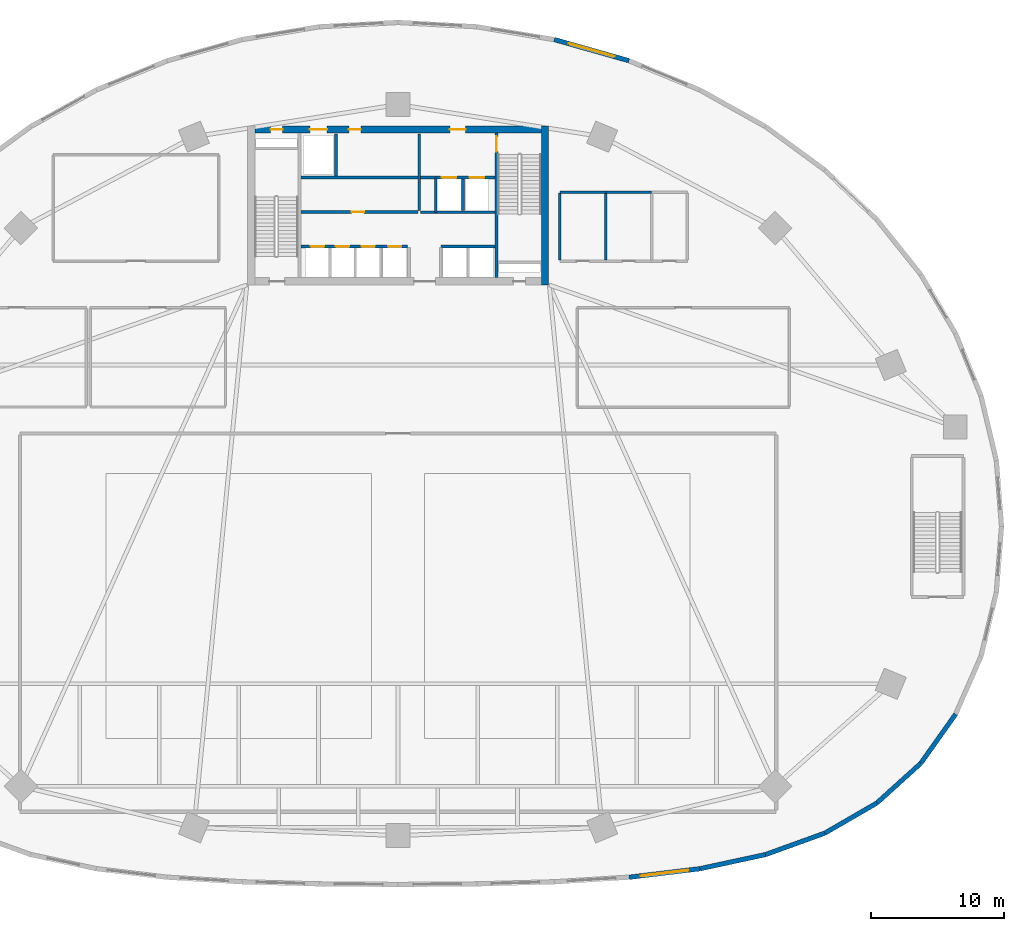
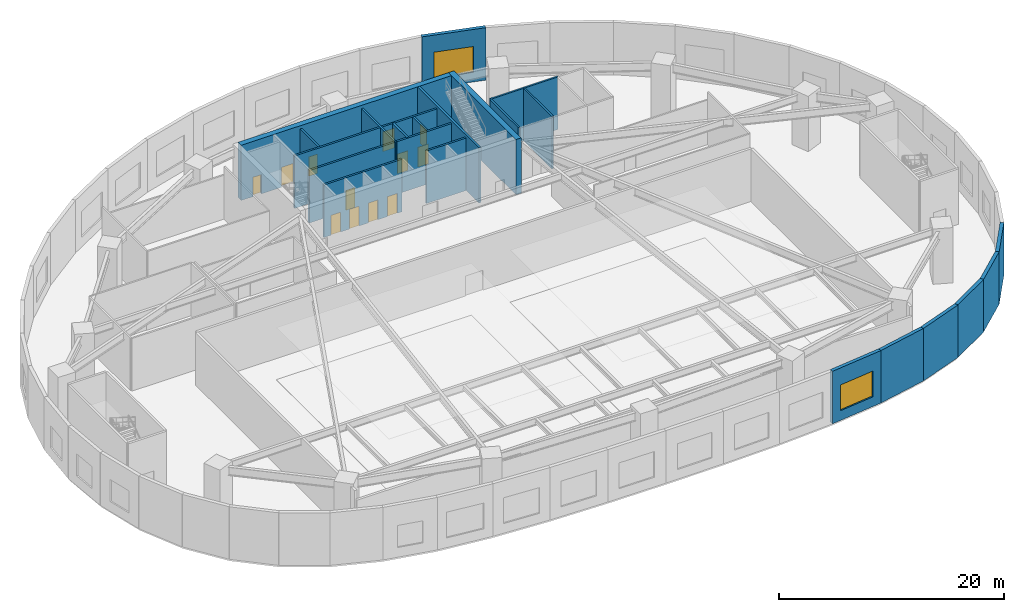
# One storey, part 4 of 10: 24 walls, 12 doors, 2 windows, 14 openings.
"""IFC4 building model written with IfcOpenShell, lengths in metres."""

from ifc_helpers import new_model, si_unit, direction, frame, frame_2d, origin, place, context, subcontext, project, spatial, rectangle, extrude, source, transform, mapped, material, layer, layer_set, type_object, type_shapes, element, fill, save


model = new_model("IFC4")

# Units and contexts
model_context = context("Model", 3, precision=1e-05, world=origin(), true_north=direction((0.0, 1.0)))
body_context = subcontext(model_context, "Body", "Model", "MODEL_VIEW")
ifc_project = project(units=[si_unit("LENGTHUNIT", "METRE"), si_unit("AREAUNIT", "SQUARE_METRE"), si_unit("VOLUMEUNIT", "CUBIC_METRE"), si_unit("PLANEANGLEUNIT", "RADIAN"), si_unit("MASSUNIT", "GRAM", prefix="KILO")], contexts=[model_context])

# Site, building, storey
site_placement = place(None, origin())
site = spatial("IfcSite", under=ifc_project, at=site_placement, CompositionType="ELEMENT")
building_placement = place(site_placement, origin())
building = spatial("IfcBuilding", under=site, at=building_placement, Name="Breltana Convention Tower", CompositionType="ELEMENT")
storey_placement = place(building_placement, frame((0.0, 0.0, 12.0)))
storey = spatial("IfcBuildingStorey", under=building, at=storey_placement, Name="L02", CompositionType="ELEMENT", Elevation=12.0)

# Wall
ifc_material_1 = material(Name="Concrete C60/75", Category="concrete")
ifc_layer_1 = layer(ifc_material_1, 0.550048828125, Name="Concrete C60/75")
ifc_layer_set_1 = layer_set([ifc_layer_1], Name="Concrete C60/75")
wall_type_1 = type_object("IfcWallType", Name="SW-CORE-550", PredefinedType="SHEAR", material=ifc_layer_set_1)
shared_shape_1 = source(origin(), body_context, "Body", "SweptSolid", [
    extrude(rectangle(XDim=12.0, YDim=0.550048828125, at=frame_2d((6.0, 0.0))), origin(), (0.0, 0.0, 1.0), 6.0),
])
wall_1_placement = place(storey_placement, frame((59.074951171875, 60.199951171875, 0.0), z_axis=(0.0, 0.0, 1.0), x_axis=(0.0, 1.0, 0.0)))
element("IfcWall", 1, at=wall_1_placement, inside=storey, type_object=wall_type_1, Name="L02 East Core Shear Wall", PredefinedType="SHEAR", context=body_context, shape_type="MappedRepresentation", body=[
    mapped(shared_shape_1, transform((0.0, 0.0, 0.0), scale=1.0)),
])

# Wall, openings, doors
shared_shape_2 = source(origin(), body_context, "Body", "SweptSolid", [
    extrude(rectangle(XDim=21.60009765625, YDim=0.550048828125, at=frame_2d((10.800048828125, 0.0))), origin(), (0.0, 0.0, 1.0), 6.0),
])
wall_2_placement = place(storey_placement, frame((37.199951171875, 71.925048828125, 0.0), z_axis=(0.0, 0.0, 1.0), x_axis=(1.0, 0.0, 0.0)))
wall_2 = element("IfcWall", 2, at=wall_2_placement, inside=storey, type_object=wall_type_1, Name="L02 North Core Shear Wall", PredefinedType="SHEAR", context=body_context, shape_type="MappedRepresentation", body=[
    mapped(shared_shape_2, transform((0.0, 0.0, 0.0), scale=1.0)),
])
opening_1_placement = place(wall_2_placement, frame((1.199951171875, 0.0, 0.0)))
opening_1 = element("IfcOpeningElement", 3, at=opening_1_placement, cuts=wall_2, Name="Opening D-18", PredefinedType="OPENING", context=body_context, shape_type="SweptSolid", body=[
    extrude(rectangle(XDim=0.89990234375, YDim=2.10009765625, at=frame_2d((0.449951171875, 1.050048828125))), frame((0.0, 0.28515625, 0.0), z_axis=(0.0, -1.0, 0.0), x_axis=(1.0, 0.0, 0.0)), (0.0, 0.0, 1.0), 0.570068359375),
])
opening_2_placement = place(wall_2_placement, frame((14.699951171875, 0.0, 0.0)))
opening_2 = element("IfcOpeningElement", 4, at=opening_2_placement, cuts=wall_2, Name="Opening D-09", PredefinedType="OPENING", context=body_context, shape_type="SweptSolid", body=[
    extrude(rectangle(XDim=1.199951171875, YDim=2.14990234375, at=frame_2d((0.60009765625, 1.074951171875))), frame((0.0, 0.28515625, 0.0), z_axis=(0.0, -1.0, 0.0), x_axis=(1.0, 0.0, 0.0)), (0.0, 0.0, 1.0), 0.570068359375),
])
opening_3_placement = place(wall_2_placement, frame((4.14990234375, 0.0, 0.0)))
opening_3 = element("IfcOpeningElement", 5, at=opening_3_placement, cuts=wall_2, Name="Opening LD-01", PredefinedType="OPENING", context=body_context, shape_type="SweptSolid", body=[
    extrude(rectangle(XDim=1.300048828125, YDim=2.14990234375, at=frame_2d((0.64990234375, 1.074951171875))), frame((0.0, 0.28515625, 0.0), z_axis=(0.0, -1.0, 0.0), x_axis=(1.0, 0.0, 0.0)), (0.0, 0.0, 1.0), 0.570068359375),
])
opening_4_placement = place(wall_2_placement, frame((7.10009765625, 0.0, 0.0)))
opening_4 = element("IfcOpeningElement", 6, at=opening_4_placement, cuts=wall_2, Name="Opening D-18", PredefinedType="OPENING", context=body_context, shape_type="SweptSolid", body=[
    extrude(rectangle(XDim=0.89990234375, YDim=2.10009765625, at=frame_2d((0.449951171875, 1.050048828125))), frame((0.0, 0.28515625, 0.0), z_axis=(0.0, -1.0, 0.0), x_axis=(1.0, 0.0, 0.0)), (0.0, 0.0, 1.0), 0.570068359375),
])
ifc_material_2 = material(Name="Steel Riser Fire Door", Category="steel")
door_type_1 = type_object("IfcDoorType", Name="DR-FD60-900", OperationType="NOTDEFINED", PredefinedType="DOOR", material=ifc_material_2)
shared_shape_3 = source(origin(), body_context, "Body", "SweptSolid", [
    extrude(rectangle(XDim=0.89990234375, YDim=2.10009765625, at=frame_2d((0.449951171875, 1.050048828125))), frame((0.0, 0.02490234375, 0.0), z_axis=(0.0, -1.0, 0.0), x_axis=(1.0, 0.0, 0.0)), (0.0, 0.0, 1.0), 0.050048828125),
])
type_shapes(door_type_1, [shared_shape_3])
door_1_placement = place(opening_1_placement, origin())
door_1 = element("IfcDoor", 7, at=door_1_placement, inside=storey, type_object=door_type_1, Name="L02 Core Riser Access Door D-L02-RS1", OperationType="SINGLE_SWING_LEFT", OverallHeight=2.10009765625, OverallWidth=0.89990234375, PredefinedType="DOOR", context=body_context, shape_type="MappedRepresentation", body=[
    mapped(shared_shape_3, transform((0.0, 0.0, 0.0), scale=1.0)),
])
fill(opening_1, door_1)
door_2_placement = place(opening_4_placement, origin())
door_2 = element("IfcDoor", 8, at=door_2_placement, inside=storey, type_object=door_type_1, Name="L02 interior door D-L02-CRA1", OperationType="SINGLE_SWING_RIGHT", OverallHeight=2.10009765625, OverallWidth=0.89990234375, PredefinedType="DOOR", context=body_context, shape_type="MappedRepresentation", body=[
    mapped(shared_shape_3, transform((0.0, 0.0, 0.0), scale=1.0)),
])
fill(opening_4, door_2)
ifc_material_3 = material(Name="Steel Fire Lobby Door", Category="steel")
door_type_2 = type_object("IfcDoorType", Name="DR-FD120-1200", OperationType="NOTDEFINED", PredefinedType="DOOR", material=ifc_material_3)
shared_shape_4 = source(origin(), body_context, "Body", "SweptSolid", [
    extrude(rectangle(XDim=1.199951171875, YDim=2.14990234375, at=frame_2d((0.60009765625, 1.074951171875))), frame((0.0, 0.02490234375, 0.0), z_axis=(0.0, -1.0, 0.0), x_axis=(1.0, 0.0, 0.0)), (0.0, 0.0, 1.0), 0.050048828125),
])
type_shapes(door_type_2, [shared_shape_4])
door_3_placement = place(opening_2_placement, origin())
door_3 = element("IfcDoor", 9, at=door_3_placement, inside=storey, type_object=door_type_2, Name="L02 interior door D-L02-FFL-N", OperationType="SINGLE_SWING_RIGHT", OverallHeight=2.14990234375, OverallWidth=1.199951171875, PredefinedType="DOOR", context=body_context, shape_type="MappedRepresentation", body=[
    mapped(shared_shape_4, transform((0.0, 0.0, 0.0), scale=1.0)),
])
fill(opening_2, door_3)
ifc_material_4 = material(Name="Stainless Steel Brushed", Category="steel")
door_type_3 = type_object("IfcDoorType", Name="DR-LD-SRV-1300", OperationType="DOUBLE_DOOR_SLIDING", PredefinedType="DOOR", material=ifc_material_4)
shared_shape_5 = source(origin(), body_context, "Body", "SweptSolid", [
    extrude(rectangle(XDim=1.300048828125, YDim=2.14990234375, at=frame_2d((0.64990234375, 1.074951171875))), frame((0.0, 0.02490234375, 0.0), z_axis=(0.0, -1.0, 0.0), x_axis=(1.0, 0.0, 0.0)), (0.0, 0.0, 1.0), 0.050048828125),
])
type_shapes(door_type_3, [shared_shape_5])
door_4_placement = place(opening_3_placement, origin())
door_4 = element("IfcDoor", 10, at=door_4_placement, inside=storey, type_object=door_type_3, Name="L02 Lift Landing Door D-L02-LD-SV1", OperationType="DOUBLE_DOOR_SLIDING", OverallHeight=2.14990234375, OverallWidth=1.300048828125, PredefinedType="DOOR", context=body_context, shape_type="MappedRepresentation", body=[
    mapped(shared_shape_5, transform((0.0, 0.0, 0.0), scale=1.0)),
])
fill(opening_3, door_4)

# Wall, opening, door
ifc_material_5 = material(Name="Concrete C50/60", Category="concrete")
ifc_layer_2 = layer(ifc_material_5, 0.39990234375, Name="Concrete C50/60")
ifc_layer_set_2 = layer_set([ifc_layer_2], Name="Concrete C50/60")
wall_type_2 = type_object("IfcWallType", Name="SW-CORE-400", PredefinedType="SHEAR", material=ifc_layer_set_2)
shared_shape_6 = source(origin(), body_context, "Body", "SweptSolid", [
    extrude(rectangle(XDim=10.89990234375, YDim=0.219970703125, at=frame_2d((5.449951171875, 0.0))), origin(), (0.0, 0.0, 1.0), 6.0),
])
wall_3_placement = place(storey_placement, frame((55.419921875, 60.75, 0.0), z_axis=(0.0, 0.0, 1.0), x_axis=(0.0, 1.0, 0.0)))
wall_3 = element("IfcWall", 11, at=wall_3_placement, inside=storey, type_object=wall_type_2, Name="L02 Core East Stair Spine Wall", PredefinedType="SHEAR", context=body_context, shape_type="MappedRepresentation", body=[
    mapped(shared_shape_6, transform((0.0, 0.0, 0.0), scale=1.0)),
])
opening_5_placement = place(wall_3_placement, frame((9.4951171875, 0.0, 0.0)))
opening_5 = element("IfcOpeningElement", 12, at=opening_5_placement, cuts=wall_3, Name="Opening D-11", PredefinedType="OPENING", context=body_context, shape_type="SweptSolid", body=[
    extrude(rectangle(XDim=1.14990234375, YDim=2.14990234375, at=frame_2d((0.574951171875, 1.074951171875))), frame((0.0, 0.1201171875, 0.0), z_axis=(0.0, -1.0, 0.0), x_axis=(1.0, 0.0, 0.0)), (0.0, 0.0, 1.0), 0.239990234375),
])
ifc_material_6 = material(Name="Steel Stair Exit Door", Category="steel")
door_type_4 = type_object("IfcDoorType", Name="DR-FD120-1150", OperationType="NOTDEFINED", PredefinedType="DOOR", material=ifc_material_6)
shared_shape_7 = source(origin(), body_context, "Body", "SweptSolid", [
    extrude(rectangle(XDim=1.14990234375, YDim=2.14990234375, at=frame_2d((0.574951171875, 1.074951171875))), frame((0.0, 0.02490234375, 0.0), z_axis=(0.0, -1.0, 0.0), x_axis=(1.0, 0.0, 0.0)), (0.0, 0.0, 1.0), 0.050048828125),
])
type_shapes(door_type_4, [shared_shape_7])
door_5_placement = place(opening_5_placement, origin())
door_5 = element("IfcDoor", 13, at=door_5_placement, inside=storey, type_object=door_type_4, Name="L02 interior door D-L02-ST2", OperationType="SINGLE_SWING_LEFT", OverallHeight=2.14990234375, OverallWidth=1.14990234375, PredefinedType="DOOR", context=body_context, shape_type="MappedRepresentation", body=[
    mapped(shared_shape_7, transform((0.0, 0.0, 0.0), scale=1.0)),
])
fill(opening_5, door_5)

# Wall, opening, window
ifc_material_7 = material(Name="Limestone Buff Insulated Wall", Category="masonry")
ifc_layer_3 = layer(ifc_material_7, 0.35009765625, Name="Limestone Buff Insulated Wall")
ifc_layer_set_3 = layer_set([ifc_layer_3], Name="Limestone Buff Insulated Wall")
wall_type_3 = type_object("IfcWallType", Name="WL-EXT-POD-350", PredefinedType="SOLIDWALL", material=ifc_layer_set_3)
shared_shape_8 = source(origin(), body_context, "Body", "SweptSolid", [
    extrude(rectangle(XDim=5.85791015625, YDim=0.35009765625, at=frame_2d((2.928955078125, 0.0))), origin(), (0.0, 0.0, 1.0), 5.699951171875),
])
wall_4_placement = place(storey_placement, frame((65.412109375, 77.107421875, 0.0), z_axis=(0.0, 0.0, 1.0), x_axis=(-0.962088093248, 0.272738887637, 0.0)))
wall_4 = element("IfcWall", 14, at=wall_4_placement, inside=storey, type_object=wall_type_3, Name="L02 limestone facade wall 10", PredefinedType="SOLIDWALL", context=body_context, shape_type="MappedRepresentation", body=[
    mapped(shared_shape_8, transform((0.0, 0.0, 0.0), scale=1.0)),
])
opening_6_placement = place(wall_4_placement, frame((1.12890625, 0.0, 1.050048828125)))
opening_6 = element("IfcOpeningElement", 15, at=opening_6_placement, cuts=wall_4, Name="Opening W-01", PredefinedType="OPENING", context=body_context, shape_type="SweptSolid", body=[
    extrude(rectangle(XDim=3.60009765625, YDim=2.800048828125, at=frame_2d((1.800048828125, 1.39990234375))), frame((0.0, 0.18505859375, 0.0), z_axis=(0.0, -1.0, 0.0), x_axis=(1.0, 0.0, 0.0)), (0.0, 0.0, 1.0), 0.3701171875),
])
ifc_material_8 = material(Name="Glass Low-E Insulated Window", Category="glass")
window_type = type_object("IfcWindowType", Name="WN-POD-3600X2800", PartitioningType="TRIPLE_PANEL_VERTICAL", PredefinedType="WINDOW", material=ifc_material_8)
shared_shape_9 = source(origin(), body_context, "Body", "SweptSolid", [
    extrude(rectangle(XDim=3.60009765625, YDim=2.800048828125, at=frame_2d((1.800048828125, 1.39990234375))), frame((0.0, 0.030029296875, 0.0), z_axis=(0.0, -1.0, 0.0), x_axis=(1.0, 0.0, 0.0)), (0.0, 0.0, 1.0), 0.06005859375),
])
type_shapes(window_type, [shared_shape_9])
window_1_placement = place(opening_6_placement, origin())
window_1 = element("IfcWindow", 16, at=window_1_placement, inside=storey, type_object=window_type, Name="L02 tripartite window 10.1", OverallHeight=2.800048828125, OverallWidth=3.60009765625, PartitioningType="TRIPLE_PANEL_VERTICAL", PredefinedType="WINDOW", context=body_context, shape_type="MappedRepresentation", body=[
    mapped(shared_shape_9, transform((0.0, 0.0, 0.0), scale=1.0)),
])
fill(opening_6, window_1)

# Walls
shared_shape_10 = source(origin(), body_context, "Body", "SweptSolid", [
    extrude(rectangle(XDim=4.54833984375, YDim=0.35009765625, at=frame_2d((2.274169921875, 0.0))), origin(), (0.0, 0.0, 1.0), 5.699951171875),
])
wall_5_placement = place(storey_placement, frame((87.404296875, 24.14501953125, 0.0), z_axis=(0.0, 0.0, 1.0), x_axis=(0.578742399763, 0.815510413616, 0.0)))
element("IfcWall", 17, at=wall_5_placement, inside=storey, type_object=wall_type_3, Name="L02 limestone facade wall 45", PredefinedType="SOLIDWALL", context=body_context, shape_type="MappedRepresentation", body=[
    mapped(shared_shape_10, transform((0.0, 0.0, 0.0), scale=1.0)),
])
shared_shape_11 = source(origin(), body_context, "Body", "SweptSolid", [
    extrude(rectangle(XDim=4.458740234375, YDim=0.35009765625, at=frame_2d((2.2294921875, 0.0))), origin(), (0.0, 0.0, 1.0), 5.699951171875),
])
wall_6_placement = place(storey_placement, frame((84.09765625, 21.154052734375, 0.0), z_axis=(0.0, 0.0, 1.0), x_axis=(0.741620092595, 0.670820123625, 0.0)))
element("IfcWall", 18, at=wall_6_placement, inside=storey, type_object=wall_type_3, Name="L02 limestone facade wall 44", PredefinedType="SOLIDWALL", context=body_context, shape_type="MappedRepresentation", body=[
    mapped(shared_shape_11, transform((0.0, 0.0, 0.0), scale=1.0)),
])
shared_shape_12 = source(origin(), body_context, "Body", "SweptSolid", [
    extrude(rectangle(XDim=4.535400390625, YDim=0.35009765625, at=frame_2d((2.267578125, 0.0))), origin(), (0.0, 0.0, 1.0), 5.699951171875),
])
wall_7_placement = place(storey_placement, frame((80.17333984375, 18.880615234375, 0.0), z_axis=(0.0, 0.0, 1.0), x_axis=(0.86528620064, 0.501278157295, 0.0)))
element("IfcWall", 19, at=wall_7_placement, inside=storey, type_object=wall_type_3, Name="L02 limestone facade wall 43", PredefinedType="SOLIDWALL", context=body_context, shape_type="MappedRepresentation", body=[
    mapped(shared_shape_12, transform((0.0, 0.0, 0.0), scale=1.0)),
])
shared_shape_13 = source(origin(), body_context, "Body", "SweptSolid", [
    extrude(rectangle(XDim=4.75830078125, YDim=0.35009765625, at=frame_2d((2.379150390625, 0.0))), origin(), (0.0, 0.0, 1.0), 5.699951171875),
])
wall_8_placement = place(storey_placement, frame((75.698486328125, 17.2626953125, 0.0), z_axis=(0.0, 0.0, 1.0), x_axis=(0.940419515454, 0.340016374538, 0.0)))
element("IfcWall", 20, at=wall_8_placement, inside=storey, type_object=wall_type_3, Name="L02 limestone facade wall 42", PredefinedType="SOLIDWALL", context=body_context, shape_type="MappedRepresentation", body=[
    mapped(shared_shape_13, transform((0.0, 0.0, 0.0), scale=1.0)),
])
shared_shape_14 = source(origin(), body_context, "Body", "SweptSolid", [
    extrude(rectangle(XDim=5.062255859375, YDim=0.35009765625, at=frame_2d((2.53125, 0.0))), origin(), (0.0, 0.0, 1.0), 5.699951171875),
])
wall_9_placement = place(storey_placement, frame((70.75, 16.196044921875, 0.0), z_axis=(0.0, 0.0, 1.0), x_axis=(0.977548321811, 0.210711363066, 0.0)))
element("IfcWall", 21, at=wall_9_placement, inside=storey, type_object=wall_type_3, Name="L02 limestone facade wall 41", PredefinedType="SOLIDWALL", context=body_context, shape_type="MappedRepresentation", body=[
    mapped(shared_shape_14, transform((0.0, 0.0, 0.0), scale=1.0)),
])

# Wall, opening, window
shared_shape_15 = source(origin(), body_context, "Body", "SweptSolid", [
    extrude(rectangle(XDim=5.37646484375, YDim=0.35009765625, at=frame_2d((2.688232421875, 0.0))), origin(), (0.0, 0.0, 1.0), 5.699951171875),
])
wall_10_placement = place(storey_placement, frame((65.412109375, 15.552734375, 0.0), z_axis=(0.0, 0.0, 1.0), x_axis=(0.992815901624, 0.119651934723, 0.0)))
wall_10 = element("IfcWall", 22, at=wall_10_placement, inside=storey, type_object=wall_type_3, Name="L02 limestone facade wall 40", PredefinedType="SOLIDWALL", context=body_context, shape_type="MappedRepresentation", body=[
    mapped(shared_shape_15, transform((0.0, 0.0, 0.0), scale=1.0)),
])
opening_7_placement = place(wall_10_placement, frame((0.88818359375, 0.0, 1.050048828125)))
opening_7 = element("IfcOpeningElement", 23, at=opening_7_placement, cuts=wall_10, Name="Opening W-01", PredefinedType="OPENING", context=body_context, shape_type="SweptSolid", body=[
    extrude(rectangle(XDim=3.60009765625, YDim=2.800048828125, at=frame_2d((1.800048828125, 1.39990234375))), frame((0.0, 0.18505859375, 0.0), z_axis=(0.0, -1.0, 0.0), x_axis=(1.0, 0.0, 0.0)), (0.0, 0.0, 1.0), 0.3701171875),
])
window_2_placement = place(opening_7_placement, origin())
window_2 = element("IfcWindow", 24, at=window_2_placement, inside=storey, type_object=window_type, Name="L02 tripartite window 40.1", OverallHeight=2.800048828125, OverallWidth=3.60009765625, PartitioningType="TRIPLE_PANEL_VERTICAL", PredefinedType="WINDOW", context=body_context, shape_type="MappedRepresentation", body=[
    mapped(shared_shape_9, transform((0.0, 0.0, 0.0), scale=1.0)),
])
fill(opening_7, window_2)

# Wall, openings, doors
ifc_material_9 = material(Name="Autoclaved Aerated Concrete Block", Category="concrete")
ifc_layer_4 = layer(ifc_material_9, 0.199951171875, Name="Autoclaved Aerated Concrete Block")
ifc_layer_set_4 = layer_set([ifc_layer_4], Name="Autoclaved Aerated Concrete Block")
wall_type_4 = type_object("IfcWallType", Name="WL-SHAFT-200", PredefinedType="SOLIDWALL", material=ifc_layer_set_4)
shared_shape_16 = source(origin(), body_context, "Body", "SweptSolid", [
    extrude(rectangle(XDim=5.6201171875, YDim=0.199951171875, at=frame_2d((2.81005859375, 0.0))), origin(), (0.0, 0.0, 1.0), 5.699951171875),
])
wall_11_placement = place(storey_placement, frame((49.699951171875, 68.300048828125, 0.0), z_axis=(0.0, 0.0, 1.0), x_axis=(1.0, 0.0, 0.0)))
wall_11 = element("IfcWall", 25, at=wall_11_placement, inside=storey, type_object=wall_type_4, Name="L02 interior partition W-L02-FFL-S", PredefinedType="SOLIDWALL", context=body_context, shape_type="MappedRepresentation", body=[
    mapped(shared_shape_16, transform((0.0, 0.0, 0.0), scale=1.0)),
])
opening_8_placement = place(wall_11_placement, frame((1.60009765625, 0.0, 0.0)))
opening_8 = element("IfcOpeningElement", 26, at=opening_8_placement, cuts=wall_11, Name="Opening LD-03", PredefinedType="OPENING", context=body_context, shape_type="SweptSolid", body=[
    extrude(rectangle(XDim=1.10009765625, YDim=2.14990234375, at=frame_2d((0.550048828125, 1.074951171875))), frame((0.0, 0.10986328125, 0.0), z_axis=(0.0, -1.0, 0.0), x_axis=(1.0, 0.0, 0.0)), (0.0, 0.0, 1.0), 0.219970703125),
])
opening_9_placement = place(wall_11_placement, frame((3.699951171875, 0.0, 0.0)))
opening_9 = element("IfcOpeningElement", 27, at=opening_9_placement, cuts=wall_11, Name="Opening LD-03", PredefinedType="OPENING", context=body_context, shape_type="SweptSolid", body=[
    extrude(rectangle(XDim=1.10009765625, YDim=2.14990234375, at=frame_2d((0.550048828125, 1.074951171875))), frame((0.0, 0.10986328125, 0.0), z_axis=(0.0, -1.0, 0.0), x_axis=(1.0, 0.0, 0.0)), (0.0, 0.0, 1.0), 0.219970703125),
])
door_type_5 = type_object("IfcDoorType", Name="DR-LD-FF-1100", OperationType="DOUBLE_DOOR_SLIDING", PredefinedType="DOOR", material=ifc_material_4)
shared_shape_17 = source(origin(), body_context, "Body", "SweptSolid", [
    extrude(rectangle(XDim=1.10009765625, YDim=2.14990234375, at=frame_2d((0.550048828125, 1.074951171875))), frame((0.0, 0.02490234375, 0.0), z_axis=(0.0, -1.0, 0.0), x_axis=(1.0, 0.0, 0.0)), (0.0, 0.0, 1.0), 0.050048828125),
])
type_shapes(door_type_5, [shared_shape_17])
door_6_placement = place(opening_8_placement, origin())
door_6 = element("IfcDoor", 28, at=door_6_placement, inside=storey, type_object=door_type_5, Name="L02 Lift Landing Door D-L02-LD-FL1", OperationType="DOUBLE_DOOR_SLIDING", OverallHeight=2.14990234375, OverallWidth=1.10009765625, PredefinedType="DOOR", context=body_context, shape_type="MappedRepresentation", body=[
    mapped(shared_shape_17, transform((0.0, 0.0, 0.0), scale=1.0)),
])
fill(opening_8, door_6)
door_7_placement = place(opening_9_placement, origin())
door_7 = element("IfcDoor", 29, at=door_7_placement, inside=storey, type_object=door_type_5, Name="L02 Lift Landing Door D-L02-LD-FL2", OperationType="DOUBLE_DOOR_SLIDING", OverallHeight=2.14990234375, OverallWidth=1.10009765625, PredefinedType="DOOR", context=body_context, shape_type="MappedRepresentation", body=[
    mapped(shared_shape_17, transform((0.0, 0.0, 0.0), scale=1.0)),
])
fill(opening_9, door_7)

# Walls
wall_12_placement = place(storey_placement, frame((49.699951171875, 65.679931640625, 0.0), z_axis=(0.0, 0.0, 1.0), x_axis=(1.0, 0.0, 0.0)))
element("IfcWall", 30, at=wall_12_placement, inside=storey, type_object=wall_type_4, Name="L02 interior partition W-L02-FL-S", PredefinedType="SOLIDWALL", context=body_context, shape_type="MappedRepresentation", body=[
    mapped(shared_shape_16, transform((0.0, 0.0, 0.0), scale=1.0)),
])
shared_shape_18 = source(origin(), body_context, "Body", "SweptSolid", [
    extrude(rectangle(XDim=5.800048828125, YDim=0.199951171875, at=frame_2d((2.89990234375, 0.0))), origin(), (0.0, 0.0, 1.0), 5.699951171875),
])
wall_13_placement = place(storey_placement, frame((49.60009765625, 65.800048828125, 0.0), z_axis=(0.0, 0.0, 1.0), x_axis=(0.0, 1.0, 0.0)))
element("IfcWall", 31, at=wall_13_placement, inside=storey, type_object=wall_type_4, Name="L02 interior partition W-L02-FFL-W", PredefinedType="SOLIDWALL", context=body_context, shape_type="MappedRepresentation", body=[
    mapped(shared_shape_18, transform((0.0, 0.0, 0.0), scale=1.0)),
])
shared_shape_19 = source(origin(), body_context, "Body", "SweptSolid", [
    extrude(rectangle(XDim=2.580078125, YDim=0.199951171875, at=frame_2d((1.2900390625, 0.0))), origin(), (0.0, 0.0, 1.0), 5.699951171875),
])
wall_14_placement = place(storey_placement, frame((50.85009765625, 65.679931640625, 0.0), z_axis=(0.0, 0.0, 1.0), x_axis=(0.0, 1.0, 0.0)))
element("IfcWall", 32, at=wall_14_placement, inside=storey, type_object=wall_type_4, Name="L02 interior partition W-L02-FL-W", PredefinedType="SOLIDWALL", context=body_context, shape_type="MappedRepresentation", body=[
    mapped(shared_shape_19, transform((0.0, 0.0, 0.0), scale=1.0)),
])
shared_shape_20 = source(origin(), body_context, "Body", "SweptSolid", [
    extrude(rectangle(XDim=2.39990234375, YDim=0.199951171875, at=frame_2d((1.199951171875, 0.0))), origin(), (0.0, 0.0, 1.0), 5.699951171875),
])
wall_15_placement = place(storey_placement, frame((52.89990234375, 65.800048828125, 0.0), z_axis=(0.0, 0.0, 1.0), x_axis=(0.0, 1.0, 0.0)))
element("IfcWall", 33, at=wall_15_placement, inside=storey, type_object=wall_type_4, Name="L02 interior partition W-L02-FL-DIV", PredefinedType="SOLIDWALL", context=body_context, shape_type="MappedRepresentation", body=[
    mapped(shared_shape_20, transform((0.0, 0.0, 0.0), scale=1.0)),
])
shared_shape_21 = source(origin(), body_context, "Body", "SweptSolid", [
    extrude(rectangle(XDim=3.2001953125, YDim=0.199951171875, at=frame_2d((1.60009765625, 0.0))), origin(), (0.0, 0.0, 1.0), 5.699951171875),
])
wall_16_placement = place(storey_placement, frame((43.320068359375, 68.39990234375, 0.0), z_axis=(0.0, 0.0, 1.0), x_axis=(0.0, 1.0, 0.0)))
element("IfcWall", 34, at=wall_16_placement, inside=storey, type_object=wall_type_4, Name="L02 interior partition W-L02-SV-E", PredefinedType="SOLIDWALL", context=body_context, shape_type="MappedRepresentation", body=[
    mapped(shared_shape_21, transform((0.0, 0.0, 0.0), scale=1.0)),
])
shared_shape_22 = source(origin(), body_context, "Body", "SweptSolid", [
    extrude(rectangle(XDim=8.800048828125, YDim=0.199951171875, at=frame_2d((4.39990234375, 0.0))), origin(), (0.0, 0.0, 1.0), 5.699951171875),
])
wall_17_placement = place(storey_placement, frame((40.699951171875, 68.300048828125, 0.0), z_axis=(0.0, 0.0, 1.0), x_axis=(1.0, 0.0, 0.0)))
element("IfcWall", 35, at=wall_17_placement, inside=storey, type_object=wall_type_4, Name="L02 interior partition W-L02-SV-S", PredefinedType="SOLIDWALL", context=body_context, shape_type="MappedRepresentation", body=[
    mapped(shared_shape_22, transform((0.0, 0.0, 0.0), scale=1.0)),
])

# Wall, opening, door
wall_18_placement = place(storey_placement, frame((40.699951171875, 65.699951171875, 0.0), z_axis=(0.0, 0.0, 1.0), x_axis=(1.0, 0.0, 0.0)))
wall_18 = element("IfcWall", 36, at=wall_18_placement, inside=storey, type_object=wall_type_4, Name="L02 interior partition W-L02-SH-M-FRONT", PredefinedType="SOLIDWALL", context=body_context, shape_type="MappedRepresentation", body=[
    mapped(shared_shape_22, transform((0.0, 0.0, 0.0), scale=1.0)),
])
opening_10_placement = place(wall_18_placement, frame((3.800048828125, 0.0, 0.0)))
opening_10 = element("IfcOpeningElement", 37, at=opening_10_placement, cuts=wall_18, Name="Opening D-14", PredefinedType="OPENING", context=body_context, shape_type="SweptSolid", body=[
    extrude(rectangle(XDim=0.949951171875, YDim=2.14990234375, at=frame_2d((0.47509765625, 1.074951171875))), frame((0.0, 0.10986328125, 0.0), z_axis=(0.0, -1.0, 0.0), x_axis=(1.0, 0.0, 0.0)), (0.0, 0.0, 1.0), 0.219970703125),
])
ifc_material_10 = material(Name="Timber Solid-Core Fire Door", Category="wood")
door_type_6 = type_object("IfcDoorType", Name="DR-FD60-950", OperationType="NOTDEFINED", PredefinedType="DOOR", material=ifc_material_10)
shared_shape_23 = source(origin(), body_context, "Body", "SweptSolid", [
    extrude(rectangle(XDim=0.949951171875, YDim=2.14990234375, at=frame_2d((0.47509765625, 1.074951171875))), frame((0.0, 0.02490234375, 0.0), z_axis=(0.0, -1.0, 0.0), x_axis=(1.0, 0.0, 0.0)), (0.0, 0.0, 1.0), 0.050048828125),
])
type_shapes(door_type_6, [shared_shape_23])
door_8_placement = place(opening_10_placement, origin())
door_8 = element("IfcDoor", 38, at=door_8_placement, inside=storey, type_object=door_type_6, Name="L02 interior door D-L02-LV7-B2A", OperationType="SINGLE_SWING_LEFT", OverallHeight=2.14990234375, OverallWidth=0.949951171875, PredefinedType="DOOR", context=body_context, shape_type="MappedRepresentation", body=[
    mapped(shared_shape_23, transform((0.0, 0.0, 0.0), scale=1.0)),
])
fill(opening_10, door_8)

# Wall, openings, doors
shared_shape_24 = source(origin(), body_context, "Body", "SweptSolid", [
    extrude(rectangle(XDim=8.02001953125, YDim=0.199951171875, at=frame_2d((4.010009765625, 0.0))), origin(), (0.0, 0.0, 1.0), 5.699951171875),
])
wall_19_placement = place(storey_placement, frame((40.699951171875, 63.10009765625, 0.0), z_axis=(0.0, 0.0, 1.0), x_axis=(1.0, 0.0, 0.0)))
wall_19 = element("IfcWall", 39, at=wall_19_placement, inside=storey, type_object=wall_type_4, Name="L02 interior partition W-L02-SH-S-FRONT", PredefinedType="SOLIDWALL", context=body_context, shape_type="MappedRepresentation", body=[
    mapped(shared_shape_24, transform((0.0, 0.0, 0.0), scale=1.0)),
])
opening_11_placement = place(wall_19_placement, frame((0.719970703125, 0.0, 0.0)))
opening_11 = element("IfcOpeningElement", 40, at=opening_11_placement, cuts=wall_19, Name="Opening LD-04", PredefinedType="OPENING", context=body_context, shape_type="SweptSolid", body=[
    extrude(rectangle(XDim=1.0, YDim=2.14990234375, at=frame_2d((0.5, 1.074951171875))), frame((0.0, 0.10986328125, 0.0), z_axis=(0.0, -1.0, 0.0), x_axis=(1.0, 0.0, 0.0)), (0.0, 0.0, 1.0), 0.219970703125),
])
opening_12_placement = place(wall_19_placement, frame((2.6201171875, 0.0, 0.0)))
opening_12 = element("IfcOpeningElement", 41, at=opening_12_placement, cuts=wall_19, Name="Opening LD-04", PredefinedType="OPENING", context=body_context, shape_type="SweptSolid", body=[
    extrude(rectangle(XDim=1.0, YDim=2.14990234375, at=frame_2d((0.5, 1.074951171875))), frame((0.0, 0.10986328125, 0.0), z_axis=(0.0, -1.0, 0.0), x_axis=(1.0, 0.0, 0.0)), (0.0, 0.0, 1.0), 0.219970703125),
])
opening_13_placement = place(wall_19_placement, frame((4.550048828125, 0.0, 0.0)))
opening_13 = element("IfcOpeningElement", 42, at=opening_13_placement, cuts=wall_19, Name="Opening LD-04", PredefinedType="OPENING", context=body_context, shape_type="SweptSolid", body=[
    extrude(rectangle(XDim=1.0, YDim=2.14990234375, at=frame_2d((0.5, 1.074951171875))), frame((0.0, 0.10986328125, 0.0), z_axis=(0.0, -1.0, 0.0), x_axis=(1.0, 0.0, 0.0)), (0.0, 0.0, 1.0), 0.219970703125),
])
opening_14_placement = place(wall_19_placement, frame((6.550048828125, 0.0, 0.0)))
opening_14 = element("IfcOpeningElement", 43, at=opening_14_placement, cuts=wall_19, Name="Opening LD-04", PredefinedType="OPENING", context=body_context, shape_type="SweptSolid", body=[
    extrude(rectangle(XDim=1.0, YDim=2.14990234375, at=frame_2d((0.5, 1.074951171875))), frame((0.0, 0.10986328125, 0.0), z_axis=(0.0, -1.0, 0.0), x_axis=(1.0, 0.0, 0.0)), (0.0, 0.0, 1.0), 0.219970703125),
])
door_type_7 = type_object("IfcDoorType", Name="DR-LD-PAX-1000", OperationType="DOUBLE_DOOR_SLIDING", PredefinedType="DOOR", material=ifc_material_4)
shared_shape_25 = source(origin(), body_context, "Body", "SweptSolid", [
    extrude(rectangle(XDim=1.0, YDim=2.14990234375, at=frame_2d((0.5, 1.074951171875))), frame((0.0, 0.02490234375, 0.0), z_axis=(0.0, -1.0, 0.0), x_axis=(1.0, 0.0, 0.0)), (0.0, 0.0, 1.0), 0.050048828125),
])
type_shapes(door_type_7, [shared_shape_25])
door_9_placement = place(opening_11_placement, origin())
door_9 = element("IfcDoor", 44, at=door_9_placement, inside=storey, type_object=door_type_7, Name="L02 Lift Landing Door D-L02-LD-S1", OperationType="DOUBLE_DOOR_SLIDING", OverallHeight=2.14990234375, OverallWidth=1.0, PredefinedType="DOOR", context=body_context, shape_type="MappedRepresentation", body=[
    mapped(shared_shape_25, transform((0.0, 0.0, 0.0), scale=1.0)),
])
fill(opening_11, door_9)
door_10_placement = place(opening_12_placement, origin())
door_10 = element("IfcDoor", 45, at=door_10_placement, inside=storey, type_object=door_type_7, Name="L02 Lift Landing Door D-L02-LD-S2", OperationType="DOUBLE_DOOR_SLIDING", OverallHeight=2.14990234375, OverallWidth=1.0, PredefinedType="DOOR", context=body_context, shape_type="MappedRepresentation", body=[
    mapped(shared_shape_25, transform((0.0, 0.0, 0.0), scale=1.0)),
])
fill(opening_12, door_10)
door_11_placement = place(opening_13_placement, origin())
door_11 = element("IfcDoor", 46, at=door_11_placement, inside=storey, type_object=door_type_7, Name="L02 Lift Landing Door D-L02-LD-S3", OperationType="DOUBLE_DOOR_SLIDING", OverallHeight=2.14990234375, OverallWidth=1.0, PredefinedType="DOOR", context=body_context, shape_type="MappedRepresentation", body=[
    mapped(shared_shape_25, transform((0.0, 0.0, 0.0), scale=1.0)),
])
fill(opening_13, door_11)
door_12_placement = place(opening_14_placement, origin())
door_12 = element("IfcDoor", 47, at=door_12_placement, inside=storey, type_object=door_type_7, Name="L02 Lift Landing Door D-L02-LD-S4", OperationType="DOUBLE_DOOR_SLIDING", OverallHeight=2.14990234375, OverallWidth=1.0, PredefinedType="DOOR", context=body_context, shape_type="MappedRepresentation", body=[
    mapped(shared_shape_25, transform((0.0, 0.0, 0.0), scale=1.0)),
])
fill(opening_14, door_12)

# Walls
shared_shape_26 = source(origin(), body_context, "Body", "SweptSolid", [
    extrude(rectangle(XDim=4.10009765625, YDim=0.199951171875, at=frame_2d((2.050048828125, 0.0))), origin(), (0.0, 0.0, 1.0), 5.699951171875),
])
wall_20_placement = place(storey_placement, frame((51.219970703125, 63.10009765625, 0.0), z_axis=(0.0, 0.0, 1.0), x_axis=(1.0, 0.0, 0.0)))
element("IfcWall", 48, at=wall_20_placement, inside=storey, type_object=wall_type_4, Name="L02 interior partition W-L02-SH-X-FRONT", PredefinedType="SOLIDWALL", context=body_context, shape_type="MappedRepresentation", body=[
    mapped(shared_shape_26, transform((0.0, 0.0, 0.0), scale=1.0)),
])
ifc_material_11 = material(Name="Moisture-Resistant Gypsum Chase Wall")
ifc_layer_5 = layer(ifc_material_11, 0.179931640625, Name="Moisture-Resistant Gypsum Chase Wall")
ifc_layer_set_5 = layer_set([ifc_layer_5], Name="Moisture-Resistant Gypsum Chase Wall")
wall_type_5 = type_object("IfcWallType", Name="WL-PLUMB-180", PredefinedType="PLUMBINGWALL", material=ifc_layer_set_5)
shared_shape_27 = source(origin(), body_context, "Body", "SweptSolid", [
    extrude(rectangle(XDim=3.4560546875, YDim=0.179931640625, at=frame_2d((1.72802734375, 0.0))), origin(), (0.0, 0.0, 1.0), 5.699951171875),
])
for number, where, z_axis, x_axis, name in (
    (49, (60.199951171875, 67.199951171875, 0.0), (0.0, 0.0, 1.0), (1.0, 0.0, 0.0), "L02 interior partition W-L02-WCM-N"),
    (50, (63.656005859375, 67.199951171875, 0.0), (0.0, 0.0, 1.0), (1.0, 0.0, 0.0), "L02 interior partition W-L02-WCF-N"),
):
    element("IfcWall", number, at=place(storey_placement, frame(where, z_axis=z_axis, x_axis=x_axis)), inside=storey, type_object=wall_type_5, Name=name, PredefinedType="PLUMBINGWALL", context=body_context, shape_type="MappedRepresentation", body=[
        mapped(shared_shape_27, transform((0.0, 0.0, 0.0), scale=1.0)),
    ])
ifc_material_12 = material(Name="Cement Board Wet-Area Partition")
ifc_layer_6 = layer(ifc_material_12, 0.175048828125, Name="Cement Board Wet-Area Partition")
ifc_layer_set_6 = layer_set([ifc_layer_6], Name="Cement Board Wet-Area Partition")
wall_type_6 = type_object("IfcWallType", Name="WL-WET-175", PredefinedType="PARTITIONING", material=ifc_layer_set_6)
shared_shape_28 = source(origin(), body_context, "Body", "SweptSolid", [
    extrude(rectangle(XDim=5.042724609375, YDim=0.175048828125, at=frame_2d((2.521484375, 0.0))), origin(), (0.0, 0.0, 1.0), 5.699951171875),
])
for number, where, z_axis, x_axis, name in (
    (51, (60.199951171875, 62.07861328125, 0.0), (0.0, 0.0, 1.0), (0.0, 1.0, 0.0), "L02 interior partition W-L02-WCM-W"),
    (52, (63.656005859375, 62.07861328125, 0.0), (0.0, 0.0, 1.0), (0.0, 1.0, 0.0), "L02 interior partition W-L02-WCM-E"),
):
    element("IfcWall", number, at=place(storey_placement, frame(where, z_axis=z_axis, x_axis=x_axis)), inside=storey, type_object=wall_type_6, Name=name, PredefinedType="PARTITIONING", context=body_context, shape_type="MappedRepresentation", body=[
        mapped(shared_shape_28, transform((0.0, 0.0, 0.0), scale=1.0)),
    ])

save(model, "model.ifc")
